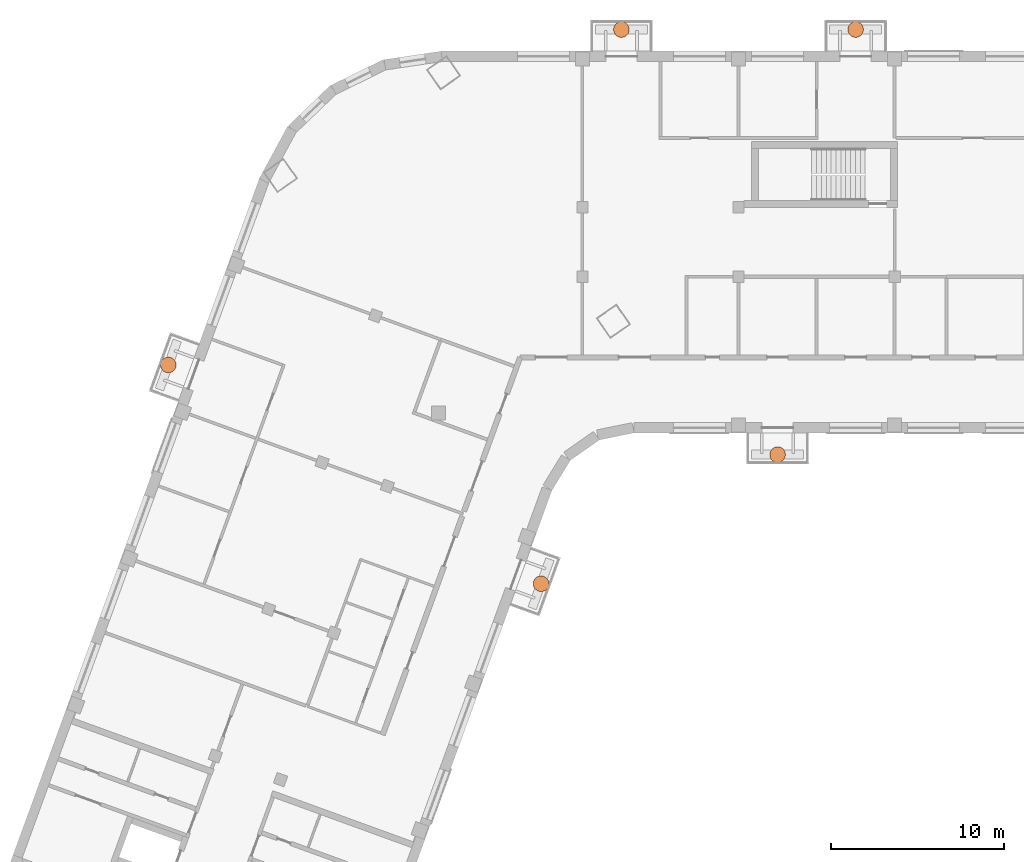
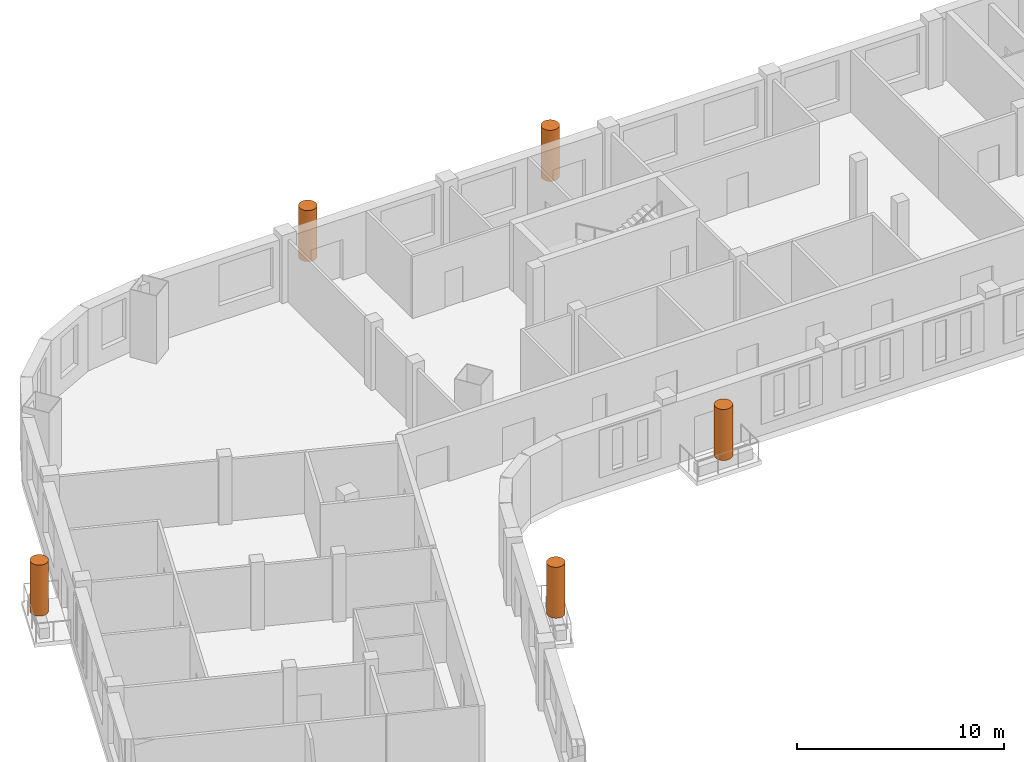
# One storey, part 10 of 10: 5 geographic elements.
"""IFC4 building model written with IfcOpenShell, lengths in metres."""

import ifcopenshell
import ifcopenshell.guid

model = None  # the IFC model being written
_history = None  # IfcOwnerHistory: only IFC2X3 demands one
_inside = {}  # id of a spatial element -> (the spatial element, [elements in it])
_under = {}  # id of a project, library or spatial element -> (it, [spatial elements below it])
_declared = {}  # id of a project -> (the project, [libraries it declares])
_typed = {}  # id of a type object -> (the type object, [elements of that type])
_made_of = {}  # id of a material, layer set ... -> (it, [elements and type objects made of it])


def new_model(schema):
    """Start an empty IFC model of exactly this schema.

    Asked for "IFC4X3", IfcOpenShell would pick the latest addendum, in which some entities
    have other attributes; the version numbers below select the first issue.
    IFC2X3 requires an IfcOwnerHistory on every rooted entity: one is made here for all.
    """
    global model, _history
    if schema == "IFC4X3":
        model = ifcopenshell.file(schema_version=(4, 3, 0, 0))
    else:
        model = ifcopenshell.file(schema=schema)
    _inside.clear()
    _under.clear()
    _declared.clear()
    _typed.clear()
    _made_of.clear()
    _history = None
    if model.schema == "IFC2X3":
        org = make("IfcOrganization", Name="unknown")
        user = make(
            "IfcPersonAndOrganization",
            ThePerson=make("IfcPerson", FamilyName="unknown"),
            TheOrganization=org,
        )
        app = make(
            "IfcApplication",
            ApplicationDeveloper=org,
            Version="unknown",
            ApplicationFullName="unknown",
            ApplicationIdentifier="unknown",
        )
        _history = make(
            "IfcOwnerHistory",
            OwningUser=user,
            OwningApplication=app,
            ChangeAction="ADDED",
            CreationDate=0,
        )
    return model


def make(cls, **values):
    """One entity of the class cls with the attributes given. An attribute that is None is left unset."""
    return model.create_entity(
        cls, **{name: value for name, value in values.items() if value is not None}
    )


def rooted(cls, **values):
    """An entity with a GlobalId (a new one), such as an element, a storey or a relation."""
    return make(cls, GlobalId=ifcopenshell.guid.new(), OwnerHistory=_history, **values)


def si_unit(unit_type, name, prefix=None):
    """IfcSIUnit, for example si_unit("LENGTHUNIT", "METRE", prefix="MILLI")."""
    return make("IfcSIUnit", UnitType=unit_type, Prefix=prefix, Name=name)


def assignment(units):
    """IfcUnitAssignment: the units of a project."""
    return None if units is None else make("IfcUnitAssignment", Units=units)


def point(xyz):
    """IfcCartesianPoint."""
    return None if xyz is None else make("IfcCartesianPoint", Coordinates=xyz)


def direction(xyz):
    """IfcDirection."""
    return None if xyz is None else make("IfcDirection", DirectionRatios=xyz)


def frame(location, z_axis=None, x_axis=None):
    """IfcAxis2Placement3D, a coordinate frame: its origin and axes. An axis left out is left unset."""
    return make(
        "IfcAxis2Placement3D",
        Location=point(location),
        Axis=direction(z_axis),
        RefDirection=direction(x_axis),
    )


def frame_2d(location, x_axis=None):
    """IfcAxis2Placement2D, a coordinate frame in the plane: its origin and x axis."""
    return make(
        "IfcAxis2Placement2D", Location=point(location), RefDirection=direction(x_axis)
    )


def origin():
    """The frame at (0, 0, 0) with its axes left unset."""
    return frame((0.0, 0.0, 0.0))


def origin_2d():
    """The frame at (0, 0) in the plane with its x axis left unset."""
    return frame_2d((0.0, 0.0))


def place(relative_to, where):
    """IfcLocalPlacement: puts the frame where relative to a parent placement (None: the world)."""
    return make(
        "IfcLocalPlacement", PlacementRelTo=relative_to, RelativePlacement=where
    )


def context(
    kind, dimensions, precision=None, world=None, true_north=None, identifier=None
):
    """IfcGeometricRepresentationContext, for example the 3D "Model" context."""
    return make(
        "IfcGeometricRepresentationContext",
        ContextIdentifier=identifier,
        ContextType=kind,
        CoordinateSpaceDimension=dimensions,
        Precision=precision,
        WorldCoordinateSystem=world,
        TrueNorth=true_north,
    )


def subcontext(parent, identifier, kind, view, scale=None):
    """IfcGeometricRepresentationSubContext, for example "Body" below "Model"."""
    return make(
        "IfcGeometricRepresentationSubContext",
        ContextIdentifier=identifier,
        ContextType=kind,
        ParentContext=parent,
        TargetScale=scale,
        TargetView=view,
    )


def project(units=None, contexts=None):
    """IfcProject with its units and contexts."""
    return rooted(
        "IfcProject",
        Name="project",
        RepresentationContexts=contexts,
        UnitsInContext=assignment(units),
    )


def spatial(cls, under=None, at=None, **own):
    """A site, building, storey or space (cls), placed at a placement, below another one or the project."""
    s = rooted(cls, ObjectPlacement=at, **own)
    if under is not None:
        _under.setdefault(under.id(), (under, []))[1].append(s)
    return s


def profile(cls, at=None, kind="AREA", **sizes):
    """A parametric profile (cls). Its sizes go by their IFC names, for example OverallWidth=200.0."""
    return make(cls, ProfileType=kind, Position=at, **sizes)


def circle(**sizes):
    """IfcCircleProfileDef."""
    return profile("IfcCircleProfileDef", **sizes)


def extrude(swept, where, along, depth):
    """IfcExtrudedAreaSolid: the profile swept, set in the frame where, extruded along a direction by depth."""
    return make(
        "IfcExtrudedAreaSolid",
        SweptArea=swept,
        Position=where,
        ExtrudedDirection=direction(along),
        Depth=depth,
    )


def shape(context_of_items, identifier, shape_type, items):
    """IfcShapeRepresentation: the items that make up one representation, for example the "Body"."""
    return make(
        "IfcShapeRepresentation",
        ContextOfItems=context_of_items,
        RepresentationIdentifier=identifier,
        RepresentationType=shape_type,
        Items=items,
    )


def made_of(thing, what):
    """Note that an element or type object is made of a material, layer set ...; save() writes the relation."""
    if what is not None:
        _made_of.setdefault(what.id(), (what, []))[1].append(thing)
    return thing


def element(
    cls,
    number,
    at=None,
    inside=None,
    cuts=None,
    type_object=None,
    material=None,
    context=None,
    identifier="Body",
    shape_type=None,
    held_by="IfcProductDefinitionShape",
    body=None,
    shapes=None,
    **own,
):
    """One element of the class cls, such as IfcWall. Its Tag is "e" and its number.

    at: its placement. inside: the storey or other place that contains it. cuts: it is an
    opening in that element (IfcRelVoidsElement). A single representation is given by context,
    identifier, shape_type and body (its items); several are given by shapes. held_by: the class
    of the entity that holds the representations. save() writes the other relations.
    """
    e = rooted(cls, Tag="e%d" % number, ObjectPlacement=at, **own)
    if body is not None:
        shapes = [shape(context, identifier, shape_type, body)]
    if shapes is not None:
        e.Representation = make(held_by, Representations=shapes)
    if inside is not None:
        _inside.setdefault(inside.id(), (inside, []))[1].append(e)
    if cuts is not None:
        rooted(
            "IfcRelVoidsElement", RelatingBuildingElement=cuts, RelatedOpeningElement=e
        )
    if type_object is not None:
        _typed.setdefault(type_object.id(), (type_object, []))[1].append(e)
    return made_of(e, material)


def aggregate(whole, parts):
    """IfcRelAggregates: a whole, such as a stair, and the parts it consists of."""
    return rooted("IfcRelAggregates", RelatingObject=whole, RelatedObjects=parts)


def save(model, path):
    """Write the relations noted so far, then the file.

    IfcRelAggregates (storeys below a building ...), IfcRelContainedInSpatialStructure (elements
    in a storey), IfcRelDefinesByType, IfcRelAssociatesMaterial and IfcRelDeclares: one each for
    every whole, place, type object, material and project.
    """
    for whole, parts in _under.values():
        aggregate(whole, parts)
    for where, things in _inside.values():
        rooted(
            "IfcRelContainedInSpatialStructure",
            RelatedElements=things,
            RelatingStructure=where,
        )
    for kind, things in _typed.values():
        rooted("IfcRelDefinesByType", RelatedObjects=things, RelatingType=kind)
    for what, things in _made_of.values():
        rooted("IfcRelAssociatesMaterial", RelatedObjects=things, RelatingMaterial=what)
    for by, libraries in _declared.values():
        rooted("IfcRelDeclares", RelatingContext=by, RelatedDefinitions=libraries)
    model.write(path)


model = new_model("IFC4")

# Units and contexts
model_context = context("Model", 3, precision=1e-05, world=origin(), true_north=direction((0.0, 1.0)))
body_context = subcontext(model_context, "Body", "Model", "MODEL_VIEW")
ifc_project = project(units=[si_unit("LENGTHUNIT", "METRE"), si_unit("AREAUNIT", "SQUARE_METRE"), si_unit("VOLUMEUNIT", "CUBIC_METRE"), si_unit("PLANEANGLEUNIT", "RADIAN"), si_unit("MASSUNIT", "GRAM", prefix="KILO")], contexts=[model_context])

# Site, building, storey
site_placement = place(None, origin())
site = spatial("IfcSite", under=ifc_project, at=site_placement, CompositionType="ELEMENT")
building_placement = place(site_placement, origin())
building = spatial("IfcBuilding", under=site, at=building_placement, Name="Skarvind Civic Tower", CompositionType="ELEMENT")
storey_placement = place(building_placement, frame((0.0, 0.0, 154.5)))
storey = spatial("IfcBuildingStorey", under=building, at=storey_placement, Name="L36", CompositionType="ELEMENT", Elevation=154.5)

# Geographic elements
for number, where, z_axis, x_axis, name in (
    (1, (51.867919921875, 108.305419921875, 0.60009765625), (0.0, 0.0, 1.0), (1.0, 0.0, 0.0), "TREE BALCONY TREE"),
    (2, (65.5, 115.75, 0.60009765625), (0.0, 0.0, 1.0), (1.0, 0.0, 0.0), "TREE BALCONY TREE"),
    (3, (56.5, 140.25, 0.60009765625), (0.0, 0.0, 1.0), (1.0, 0.0, 0.0), "TREE BALCONY TREE"),
    (4, (70.0, 140.25, 0.60009765625), (0.0, 0.0, 1.0), (1.0, 0.0, 0.0), "TREE BALCONY TREE"),
    (5, (30.384521484375, 120.91357421875, 0.60009765625), (0.0, 0.0, 1.0), (1.0, 0.0, 0.0), "TREE BALCONY TREE"),
):
    element("IfcGeographicElement", number, at=place(storey_placement, frame(where, z_axis=z_axis, x_axis=x_axis)), inside=storey, Name=name, ObjectType="TREE", PredefinedType="USERDEFINED", context=body_context, shape_type="SweptSolid", body=[
        extrude(circle(Radius=0.449951171875, at=origin_2d()), origin(), (0.0, 0.0, 1.0), 3.0),
    ])

save(model, "model.ifc")
